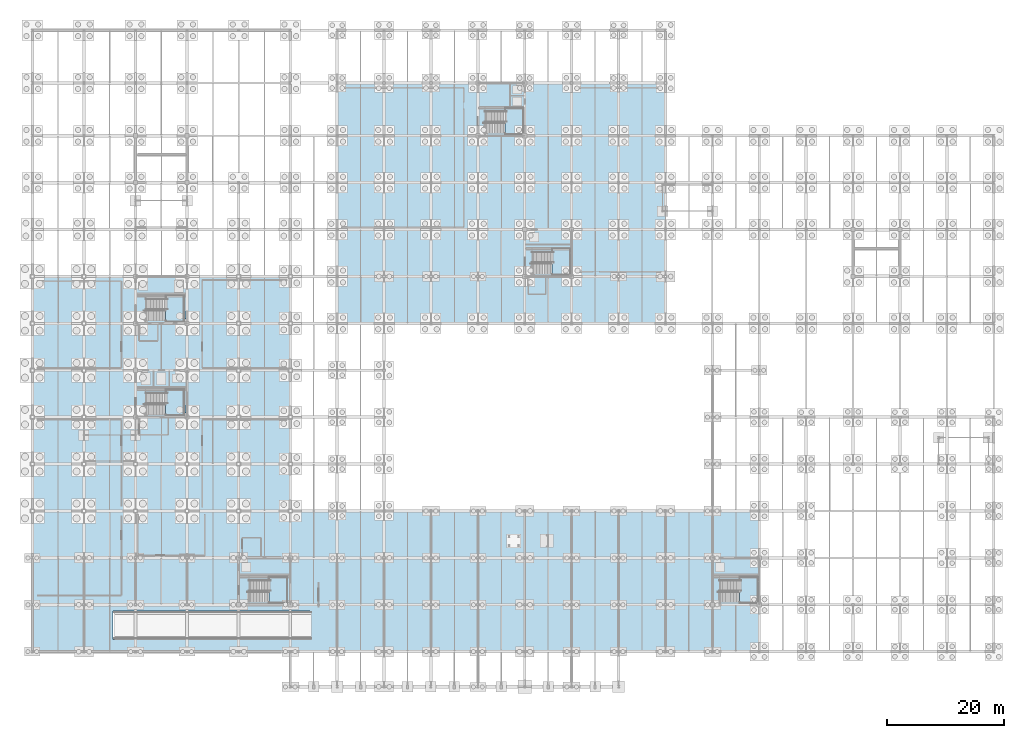
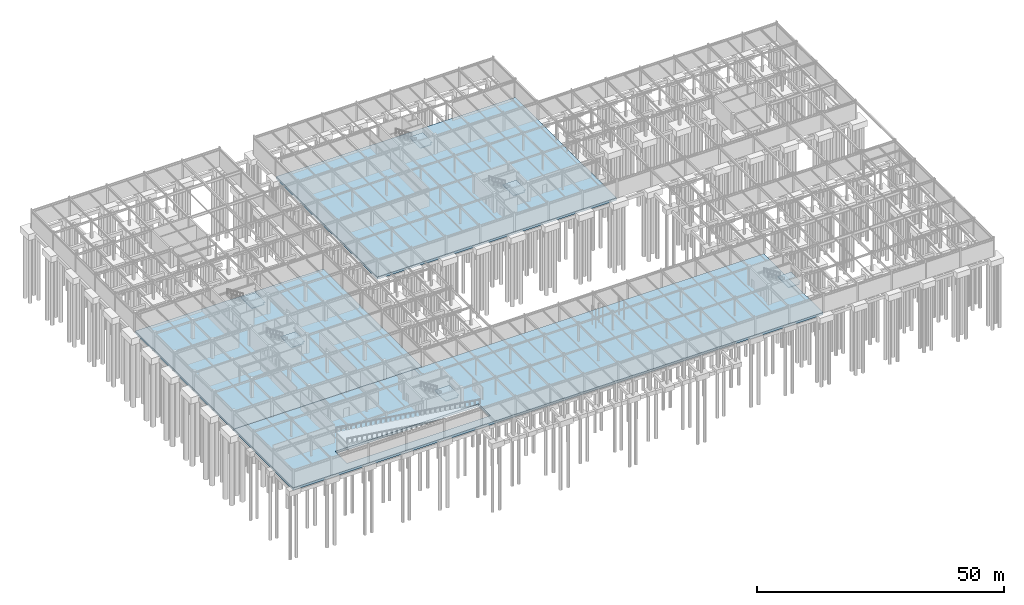
# One storey, part 41 of 72: 9 slabs, 6 elements without a shape of their own.
"""IFC4 building model written with IfcOpenShell, lengths in metres."""

from ifc_helpers import new_model, si_unit, direction, frame, origin, place, context, subcontext, project, spatial, polyline, outline, extrude, material, layer, layer_set, type_object, element, aggregate, save


model = new_model("IFC4")

# Units and contexts
model_context = context("Model", 3, precision=1e-05, world=origin(), true_north=direction((0.0, 1.0)))
body_context = subcontext(model_context, "Body", "Model", "MODEL_VIEW")
ifc_project = project(units=[si_unit("LENGTHUNIT", "METRE"), si_unit("AREAUNIT", "SQUARE_METRE"), si_unit("VOLUMEUNIT", "CUBIC_METRE"), si_unit("PLANEANGLEUNIT", "RADIAN"), si_unit("MASSUNIT", "GRAM", prefix="KILO")], contexts=[model_context])

# Site, building, storey
site_placement = place(None, origin())
site = spatial("IfcSite", under=ifc_project, at=site_placement, CompositionType="ELEMENT")
building_placement = place(site_placement, origin())
building = spatial("IfcBuilding", under=site, at=building_placement, Name="Zhaolan Boulevard Law Courts", CompositionType="ELEMENT")
storey_placement = place(building_placement, frame((0.0, 0.0, -4.800048828125)))
storey = spatial("IfcBuildingStorey", under=building, at=storey_placement, Name="B1", CompositionType="ELEMENT", Elevation=-4.800048828125)

# Slabs
ifc_material_1 = material(Name="Concrete C40", Category="concrete")
ifc_layer_1 = layer(ifc_material_1, 0.60009765625)
ifc_layer_set_1 = layer_set([ifc_layer_1])
slab_type_1 = type_object("IfcSlabType", Name="BASE SLAB 600", PredefinedType="BASESLAB", material=ifc_layer_set_1)
slab_1_placement = place(storey_placement, frame((0.0, 0.0, -0.599853515625)))
element("IfcSlab", 1, at=slab_1_placement, inside=storey, type_object=slab_type_1, Name="Slab SLB-B1-S", PredefinedType="BASESLAB", context=body_context, shape_type="SweptSolid", body=[
    extrude(outline(polyline([(0.0, 6.0), (124.0, 6.0), (124.0, 30.0), (0.0, 30.0), (0.0, 6.0)]), holes=[polyline([(13.800048828125, 8.10009765625), (47.39990234375, 8.10009765625), (47.39990234375, 12.89990234375), (13.800048828125, 12.89990234375), (13.800048828125, 8.10009765625)])]), origin(), (0.0, 0.0, 1.0), 0.599853515625),
])
slab_2_placement = place(storey_placement, frame((0.0, 0.0, -0.599853515625)))
element("IfcSlab", 2, at=slab_2_placement, inside=storey, type_object=slab_type_1, Name="Slab SLB-B1-W", PredefinedType="BASESLAB", context=body_context, shape_type="SweptSolid", body=[
    extrude(outline(polyline([(0.0, 30.0), (44.0, 30.0), (44.0, 70.0), (0.0, 70.0), (0.0, 30.0)])), origin(), (0.0, 0.0, 1.0), 0.599853515625),
])
slab_3_placement = place(storey_placement, frame((0.0, 0.0, -0.599853515625)))
element("IfcSlab", 3, at=slab_3_placement, inside=storey, type_object=slab_type_1, Name="Slab SLB-B1-N", PredefinedType="BASESLAB", context=body_context, shape_type="SweptSolid", body=[
    extrude(outline(polyline([(52.0, 62.0), (108.0, 62.0), (108.0, 103.0), (52.0, 103.0), (52.0, 62.0)])), origin(), (0.0, 0.0, 1.0), 0.599853515625),
])

# Stair, slab
ifc_material_2 = material(Name="Concrete C40", Category="concrete")
stair_type = type_object("IfcStairType", Name="HALF TURN STAIR 48 A", PredefinedType="HALF_TURN_STAIR", material=ifc_material_2)
stair_1_placement = place(storey_placement, origin())
stair_1 = element("IfcStair", 4, at=stair_1_placement, inside=storey, type_object=stair_type, Name="Stair ST01-B1", PredefinedType="HALF_TURN_STAIR")
ifc_material_3 = material(Name="Concrete C40", Category="concrete")
ifc_layer_2 = layer(ifc_material_3, 0.199951171875)
ifc_layer_set_2 = layer_set([ifc_layer_2])
slab_type_2 = type_object("IfcSlabType", Name="STAIR LANDING 200", PredefinedType="LANDING", material=ifc_layer_set_2)
slab_4_placement = place(storey_placement, frame((0.0, 0.0, 2.199951171875)))
slab_4 = element("IfcSlab", 5, at=slab_4_placement, type_object=slab_type_2, Name="Stair Landing ST01-B1-L1", PredefinedType="LANDING", context=body_context, shape_type="SweptSolid", body=[
    extrude(outline(polyline([(22.760009765625, 46.169921875), (25.669921875, 46.169921875), (25.669921875, 46.72998046875), (26.22998046875, 46.72998046875), (26.22998046875, 50.639892578125), (22.760009765625, 50.639892578125), (22.760009765625, 46.169921875)])), origin(), (0.0, 0.0, 1.0), 0.2001953125),
])
aggregate(stair_1, [slab_4])

stair_2_placement = place(storey_placement, origin())
stair_2 = element("IfcStair", 6, at=stair_2_placement, inside=storey, type_object=stair_type, Name="Stair ST02-B1", PredefinedType="HALF_TURN_STAIR")
slab_5_placement = place(storey_placement, frame((0.0, 0.0, 2.199951171875)))
slab_5 = element("IfcSlab", 7, at=slab_5_placement, type_object=slab_type_2, Name="Stair Landing ST02-B1-L1", PredefinedType="LANDING", context=body_context, shape_type="SweptSolid", body=[
    extrude(outline(polyline([(22.760009765625, 62.169921875), (25.669921875, 62.169921875), (25.669921875, 62.72998046875), (26.22998046875, 62.72998046875), (26.22998046875, 66.639892578125), (22.760009765625, 66.639892578125), (22.760009765625, 62.169921875)])), origin(), (0.0, 0.0, 1.0), 0.2001953125),
])
aggregate(stair_2, [slab_5])

stair_3_placement = place(storey_placement, origin())
stair_3 = element("IfcStair", 8, at=stair_3_placement, inside=storey, type_object=stair_type, Name="Stair ST04-B1", PredefinedType="HALF_TURN_STAIR")
slab_6_placement = place(storey_placement, frame((0.0, 0.0, 2.199951171875)))
slab_6 = element("IfcSlab", 9, at=slab_6_placement, type_object=slab_type_2, Name="Stair Landing ST04-B1-L1", PredefinedType="LANDING", context=body_context, shape_type="SweptSolid", body=[
    extrude(outline(polyline([(40.360107421875, 14.169921875), (43.27001953125, 14.169921875), (43.27001953125, 14.72998046875), (43.830078125, 14.72998046875), (43.830078125, 18.639892578125), (40.360107421875, 18.639892578125), (40.360107421875, 14.169921875)])), origin(), (0.0, 0.0, 1.0), 0.2001953125),
])
aggregate(stair_3, [slab_6])

stair_4_placement = place(storey_placement, origin())
stair_4 = element("IfcStair", 10, at=stair_4_placement, inside=storey, type_object=stair_type, Name="Stair ST05-B1", PredefinedType="HALF_TURN_STAIR")
slab_7_placement = place(storey_placement, frame((0.0, 0.0, 2.199951171875)))
slab_7 = element("IfcSlab", 11, at=slab_7_placement, type_object=slab_type_2, Name="Stair Landing ST05-B1-L1", PredefinedType="LANDING", context=body_context, shape_type="SweptSolid", body=[
    extrude(outline(polyline([(120.659912109375, 14.169921875), (123.27001953125, 14.169921875), (123.27001953125, 14.72998046875), (123.830078125, 14.72998046875), (123.830078125, 18.639892578125), (120.659912109375, 18.639892578125), (120.659912109375, 14.169921875)])), origin(), (0.0, 0.0, 1.0), 0.2001953125),
])
aggregate(stair_4, [slab_7])

stair_5_placement = place(storey_placement, origin())
stair_5 = element("IfcStair", 12, at=stair_5_placement, inside=storey, type_object=stair_type, Name="Stair ST08-B1", PredefinedType="HALF_TURN_STAIR")
slab_8_placement = place(storey_placement, frame((0.0, 0.0, 2.199951171875)))
slab_8 = element("IfcSlab", 13, at=slab_8_placement, type_object=slab_type_2, Name="Stair Landing ST08-B1-L1", PredefinedType="LANDING", context=body_context, shape_type="SweptSolid", body=[
    extrude(outline(polyline([(88.659912109375, 70.169921875), (91.27001953125, 70.169921875), (91.27001953125, 70.72998046875), (91.830078125, 70.72998046875), (91.830078125, 74.639892578125), (88.659912109375, 74.639892578125), (88.659912109375, 70.169921875)])), origin(), (0.0, 0.0, 1.0), 0.2001953125),
])
aggregate(stair_5, [slab_8])

stair_6_placement = place(storey_placement, origin())
stair_6 = element("IfcStair", 14, at=stair_6_placement, inside=storey, type_object=stair_type, Name="Stair ST11-B1", PredefinedType="HALF_TURN_STAIR")
slab_9_placement = place(storey_placement, frame((0.0, 0.0, 2.199951171875)))
slab_9 = element("IfcSlab", 15, at=slab_9_placement, type_object=slab_type_2, Name="Stair Landing ST11-B1-L1", PredefinedType="LANDING", context=body_context, shape_type="SweptSolid", body=[
    extrude(outline(polyline([(80.659912109375, 94.169921875), (83.27001953125, 94.169921875), (83.27001953125, 94.72998046875), (83.830078125, 94.72998046875), (83.830078125, 98.639892578125), (80.659912109375, 98.639892578125), (80.659912109375, 94.169921875)])), origin(), (0.0, 0.0, 1.0), 0.2001953125),
])
aggregate(stair_6, [slab_9])

save(model, "model.ifc")
